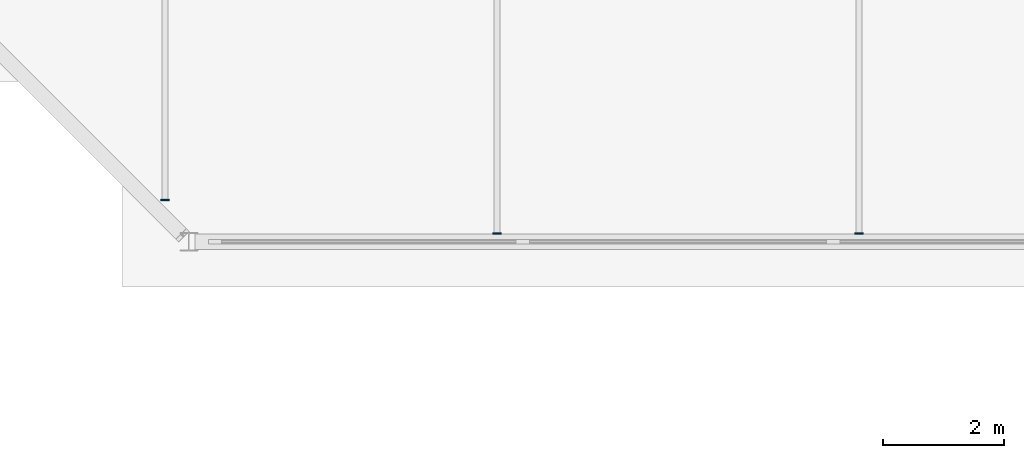
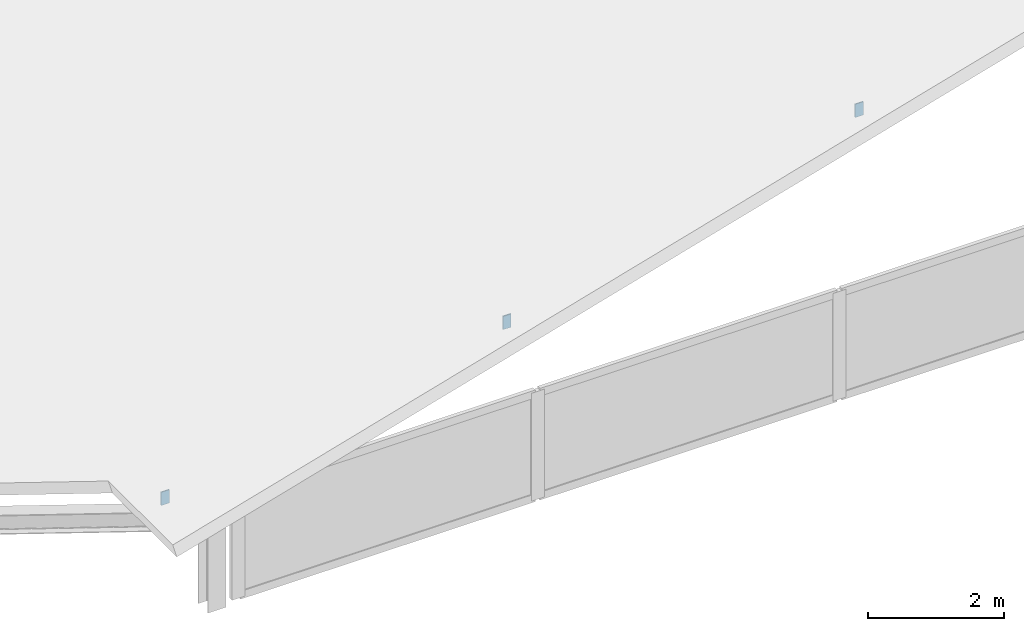
# One storey, part 17 of 28: 3 plates.
"""IFC4 building model written with IfcOpenShell, lengths in metres."""

import ifcopenshell
import ifcopenshell.guid

model = None  # the IFC model being written
_history = None  # IfcOwnerHistory: only IFC2X3 demands one
_inside = {}  # id of a spatial element -> (the spatial element, [elements in it])
_under = {}  # id of a project, library or spatial element -> (it, [spatial elements below it])
_declared = {}  # id of a project -> (the project, [libraries it declares])
_typed = {}  # id of a type object -> (the type object, [elements of that type])
_made_of = {}  # id of a material, layer set ... -> (it, [elements and type objects made of it])


def new_model(schema):
    """Start an empty IFC model of exactly this schema.

    Asked for "IFC4X3", IfcOpenShell would pick the latest addendum, in which some entities
    have other attributes; the version numbers below select the first issue.
    IFC2X3 requires an IfcOwnerHistory on every rooted entity: one is made here for all.
    """
    global model, _history
    if schema == "IFC4X3":
        model = ifcopenshell.file(schema_version=(4, 3, 0, 0))
    else:
        model = ifcopenshell.file(schema=schema)
    _inside.clear()
    _under.clear()
    _declared.clear()
    _typed.clear()
    _made_of.clear()
    _history = None
    if model.schema == "IFC2X3":
        org = make("IfcOrganization", Name="unknown")
        user = make(
            "IfcPersonAndOrganization",
            ThePerson=make("IfcPerson", FamilyName="unknown"),
            TheOrganization=org,
        )
        app = make(
            "IfcApplication",
            ApplicationDeveloper=org,
            Version="unknown",
            ApplicationFullName="unknown",
            ApplicationIdentifier="unknown",
        )
        _history = make(
            "IfcOwnerHistory",
            OwningUser=user,
            OwningApplication=app,
            ChangeAction="ADDED",
            CreationDate=0,
        )
    return model


def make(cls, **values):
    """One entity of the class cls with the attributes given. An attribute that is None is left unset."""
    return model.create_entity(
        cls, **{name: value for name, value in values.items() if value is not None}
    )


def rooted(cls, **values):
    """An entity with a GlobalId (a new one), such as an element, a storey or a relation."""
    return make(cls, GlobalId=ifcopenshell.guid.new(), OwnerHistory=_history, **values)


def si_unit(unit_type, name, prefix=None):
    """IfcSIUnit, for example si_unit("LENGTHUNIT", "METRE", prefix="MILLI")."""
    return make("IfcSIUnit", UnitType=unit_type, Prefix=prefix, Name=name)


def assignment(units):
    """IfcUnitAssignment: the units of a project."""
    return None if units is None else make("IfcUnitAssignment", Units=units)


def point(xyz):
    """IfcCartesianPoint."""
    return None if xyz is None else make("IfcCartesianPoint", Coordinates=xyz)


def direction(xyz):
    """IfcDirection."""
    return None if xyz is None else make("IfcDirection", DirectionRatios=xyz)


def frame(location, z_axis=None, x_axis=None):
    """IfcAxis2Placement3D, a coordinate frame: its origin and axes. An axis left out is left unset."""
    return make(
        "IfcAxis2Placement3D",
        Location=point(location),
        Axis=direction(z_axis),
        RefDirection=direction(x_axis),
    )


def frame_2d(location, x_axis=None):
    """IfcAxis2Placement2D, a coordinate frame in the plane: its origin and x axis."""
    return make(
        "IfcAxis2Placement2D", Location=point(location), RefDirection=direction(x_axis)
    )


def origin():
    """The frame at (0, 0, 0) with its axes left unset."""
    return frame((0.0, 0.0, 0.0))


def origin_2d():
    """The frame at (0, 0) in the plane with its x axis left unset."""
    return frame_2d((0.0, 0.0))


def place(relative_to, where):
    """IfcLocalPlacement: puts the frame where relative to a parent placement (None: the world)."""
    return make(
        "IfcLocalPlacement", PlacementRelTo=relative_to, RelativePlacement=where
    )


def context(
    kind, dimensions, precision=None, world=None, true_north=None, identifier=None
):
    """IfcGeometricRepresentationContext, for example the 3D "Model" context."""
    return make(
        "IfcGeometricRepresentationContext",
        ContextIdentifier=identifier,
        ContextType=kind,
        CoordinateSpaceDimension=dimensions,
        Precision=precision,
        WorldCoordinateSystem=world,
        TrueNorth=true_north,
    )


def subcontext(parent, identifier, kind, view, scale=None):
    """IfcGeometricRepresentationSubContext, for example "Body" below "Model"."""
    return make(
        "IfcGeometricRepresentationSubContext",
        ContextIdentifier=identifier,
        ContextType=kind,
        ParentContext=parent,
        TargetScale=scale,
        TargetView=view,
    )


def project(units=None, contexts=None):
    """IfcProject with its units and contexts."""
    return rooted(
        "IfcProject",
        Name="project",
        RepresentationContexts=contexts,
        UnitsInContext=assignment(units),
    )


def spatial(cls, under=None, at=None, **own):
    """A site, building, storey or space (cls), placed at a placement, below another one or the project."""
    s = rooted(cls, ObjectPlacement=at, **own)
    if under is not None:
        _under.setdefault(under.id(), (under, []))[1].append(s)
    return s


def profile(cls, at=None, kind="AREA", **sizes):
    """A parametric profile (cls). Its sizes go by their IFC names, for example OverallWidth=200.0."""
    return make(cls, ProfileType=kind, Position=at, **sizes)


def rectangle(**sizes):
    """IfcRectangleProfileDef."""
    return profile("IfcRectangleProfileDef", **sizes)


def extrude(swept, where, along, depth):
    """IfcExtrudedAreaSolid: the profile swept, set in the frame where, extruded along a direction by depth."""
    return make(
        "IfcExtrudedAreaSolid",
        SweptArea=swept,
        Position=where,
        ExtrudedDirection=direction(along),
        Depth=depth,
    )


def shape(context_of_items, identifier, shape_type, items):
    """IfcShapeRepresentation: the items that make up one representation, for example the "Body"."""
    return make(
        "IfcShapeRepresentation",
        ContextOfItems=context_of_items,
        RepresentationIdentifier=identifier,
        RepresentationType=shape_type,
        Items=items,
    )


def source(mapping_origin, context_of_items, identifier, shape_type, items):
    """IfcRepresentationMap: a shape defined once, which mapped items show again and again."""
    return make(
        "IfcRepresentationMap",
        MappingOrigin=mapping_origin,
        MappedRepresentation=shape(context_of_items, identifier, shape_type, items),
    )


def transform(
    local_origin,
    x_axis=None,
    y_axis=None,
    z_axis=None,
    scale=None,
    scale2=None,
    scale3=None,
    uniform=True,
):
    """IfcCartesianTransformationOperator3D, or its non-uniform kind. x_axis, y_axis, z_axis: its Axis1, 2, 3."""
    if uniform:
        return make(
            "IfcCartesianTransformationOperator3D",
            Axis1=direction(x_axis),
            Axis2=direction(y_axis),
            LocalOrigin=point(local_origin),
            Scale=scale,
            Axis3=direction(z_axis),
        )
    return make(
        "IfcCartesianTransformationOperator3DnonUniform",
        Axis1=direction(x_axis),
        Axis2=direction(y_axis),
        LocalOrigin=point(local_origin),
        Scale=scale,
        Axis3=direction(z_axis),
        Scale2=scale2,
        Scale3=scale3,
    )


def mapped(mapping_source, mapping_target):
    """IfcMappedItem: shows the shape of a source again, moved by a transform."""
    return make(
        "IfcMappedItem", MappingSource=mapping_source, MappingTarget=mapping_target
    )


def material(Name=None, Category=None):
    """IfcMaterial."""
    return make("IfcMaterial", Name=Name, Category=Category)


def layer(
    of_material, thickness, ventilated=None, Name=None, Category=None, Priority=None
):
    """IfcMaterialLayer: one layer of a wall or slab, of a material (None: an air gap)."""
    return make(
        "IfcMaterialLayer",
        Material=of_material,
        LayerThickness=thickness,
        IsVentilated=ventilated,
        Name=Name,
        Category=Category,
        Priority=Priority,
    )


def layer_set(layers, Name=None):
    """IfcMaterialLayerSet."""
    return make("IfcMaterialLayerSet", MaterialLayers=layers, LayerSetName=Name)


def made_of(thing, what):
    """Note that an element or type object is made of a material, layer set ...; save() writes the relation."""
    if what is not None:
        _made_of.setdefault(what.id(), (what, []))[1].append(thing)
    return thing


def type_object(cls, material=None, **own):
    """A type object (cls), such as IfcWallType, which elements share."""
    return made_of(rooted(cls, **own), material)


def element(
    cls,
    number,
    at=None,
    inside=None,
    cuts=None,
    type_object=None,
    material=None,
    context=None,
    identifier="Body",
    shape_type=None,
    held_by="IfcProductDefinitionShape",
    body=None,
    shapes=None,
    **own,
):
    """One element of the class cls, such as IfcWall. Its Tag is "e" and its number.

    at: its placement. inside: the storey or other place that contains it. cuts: it is an
    opening in that element (IfcRelVoidsElement). A single representation is given by context,
    identifier, shape_type and body (its items); several are given by shapes. held_by: the class
    of the entity that holds the representations. save() writes the other relations.
    """
    e = rooted(cls, Tag="e%d" % number, ObjectPlacement=at, **own)
    if body is not None:
        shapes = [shape(context, identifier, shape_type, body)]
    if shapes is not None:
        e.Representation = make(held_by, Representations=shapes)
    if inside is not None:
        _inside.setdefault(inside.id(), (inside, []))[1].append(e)
    if cuts is not None:
        rooted(
            "IfcRelVoidsElement", RelatingBuildingElement=cuts, RelatedOpeningElement=e
        )
    if type_object is not None:
        _typed.setdefault(type_object.id(), (type_object, []))[1].append(e)
    return made_of(e, material)


def aggregate(whole, parts):
    """IfcRelAggregates: a whole, such as a stair, and the parts it consists of."""
    return rooted("IfcRelAggregates", RelatingObject=whole, RelatedObjects=parts)


def save(model, path):
    """Write the relations noted so far, then the file.

    IfcRelAggregates (storeys below a building ...), IfcRelContainedInSpatialStructure (elements
    in a storey), IfcRelDefinesByType, IfcRelAssociatesMaterial and IfcRelDeclares: one each for
    every whole, place, type object, material and project.
    """
    for whole, parts in _under.values():
        aggregate(whole, parts)
    for where, things in _inside.values():
        rooted(
            "IfcRelContainedInSpatialStructure",
            RelatedElements=things,
            RelatingStructure=where,
        )
    for kind, things in _typed.values():
        rooted("IfcRelDefinesByType", RelatedObjects=things, RelatingType=kind)
    for what, things in _made_of.values():
        rooted("IfcRelAssociatesMaterial", RelatedObjects=things, RelatingMaterial=what)
    for by, libraries in _declared.values():
        rooted("IfcRelDeclares", RelatingContext=by, RelatedDefinitions=libraries)
    model.write(path)


model = new_model("IFC4")

# Units and contexts
model_context = context("Model", 3, precision=1e-05, world=origin(), true_north=direction((0.0, 1.0)))
body_context = subcontext(model_context, "Body", "Model", "MODEL_VIEW")
ifc_project = project(units=[si_unit("LENGTHUNIT", "METRE"), si_unit("AREAUNIT", "SQUARE_METRE"), si_unit("VOLUMEUNIT", "CUBIC_METRE"), si_unit("PLANEANGLEUNIT", "RADIAN"), si_unit("MASSUNIT", "GRAM", prefix="KILO"), si_unit("THERMODYNAMICTEMPERATUREUNIT", "KELVIN"), si_unit("POWERUNIT", "WATT")], contexts=[model_context])

# Site, building, storey
site_placement = place(None, origin())
site = spatial("IfcSite", under=ifc_project, at=site_placement, CompositionType="ELEMENT")
building_placement = place(site_placement, origin())
building = spatial("IfcBuilding", under=site, at=building_placement, Name="Qiaomeng Ring Towers", CompositionType="ELEMENT")
storey_placement = place(building_placement, frame((0.0, 0.0, 113.25)))
storey = spatial("IfcBuildingStorey", under=building, at=storey_placement, Name="L32", CompositionType="ELEMENT", Elevation=113.25)

# Plates
ifc_material = material(Name="Steel Q355B", Category="steel")
ifc_layer = layer(ifc_material, 0.02001953125, Name="Steel Q355B")
ifc_layer_set = layer_set([ifc_layer], Name="Steel Q355B")
plate_type = type_object("IfcPlateType", Name="STR-PL-CAP", PredefinedType="USERDEFINED", material=ifc_layer_set)
shared_shape = source(origin(), body_context, "Body", "SweptSolid", [
    extrude(rectangle(XDim=0.139892578125, YDim=0.02001953125, at=origin_2d()), origin(), (0.0, 0.0, 1.0), 0.239990234375),
])
for number, where, z_axis, x_axis, name in (
    (1, (52.0, 11.840087890625, 1.5458984375), (0.0, 0.0, 1.0), (1.0, 0.0, 0.0), "Companion Crown Roof Purlin 1 End Cap Plate S"),
    (2, (57.5, 11.284912109375, 3.123046875), (0.0, 0.0, 1.0), (1.0, 0.0, 0.0), "Companion Crown Roof Purlin 2 End Cap Plate S"),
    (3, (63.5, 11.284912109375, 4.84326171875), (0.0, 0.0, 1.0), (1.0, 0.0, 0.0), "Companion Crown Roof Purlin 3 End Cap Plate S"),
):
    element("IfcPlate", number, at=place(storey_placement, frame(where, z_axis=z_axis, x_axis=x_axis)), inside=storey, type_object=plate_type, Name=name, ObjectType="END CAP PLATE", PredefinedType="USERDEFINED", context=body_context, shape_type="MappedRepresentation", body=[
        mapped(shared_shape, transform((0.0, 0.0, 0.0), x_axis=(1.0, 0.0, 0.0), y_axis=(0.0, 1.0, 0.0), z_axis=(0.0, 0.0, 1.0), scale=1.0)),
    ])

save(model, "model.ifc")
